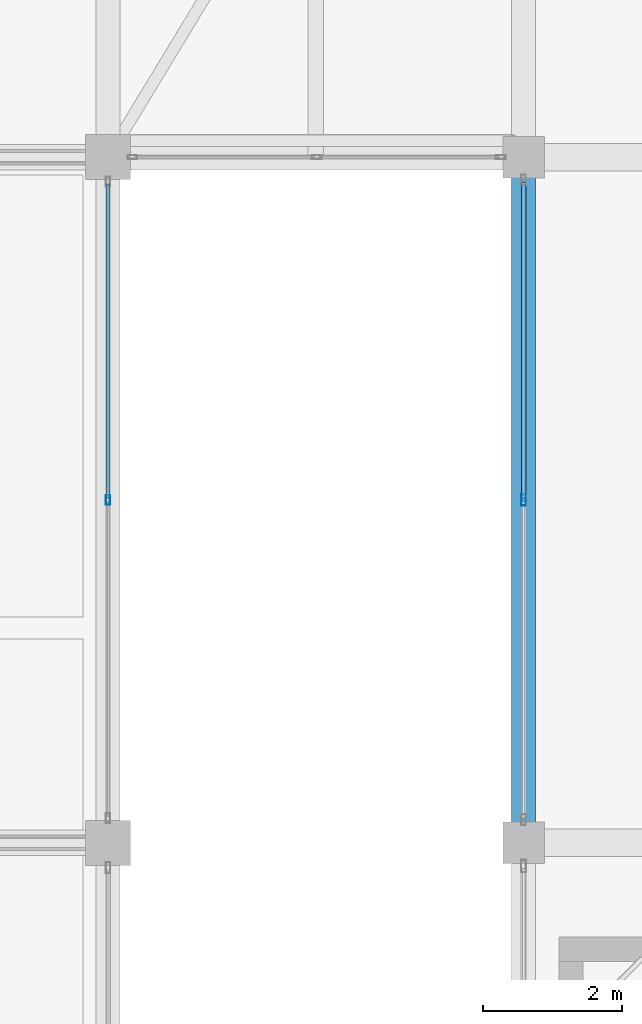
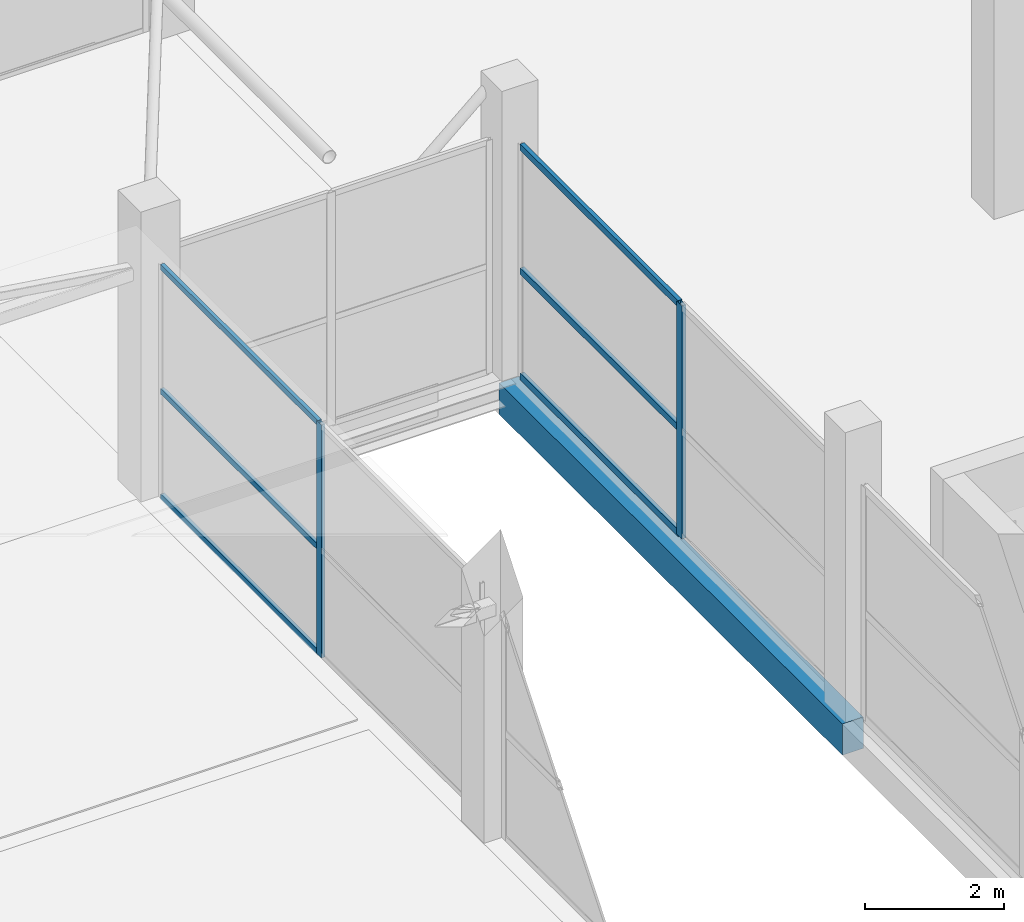
# One storey, part 28 of 58: 8 members, 1 beam, 2 elements without a shape of their own.
"""IFC4 building model written with IfcOpenShell, lengths in metres."""

from ifc_helpers import new_model, si_unit, direction, frame, origin, origin_2d, place, context, subcontext, project, spatial, rectangle, hollow_rectangle, extrude, material, layer, layer_set, material_profile, profile_set, type_object, element, aggregate, save


model = new_model("IFC4")

# Units and contexts
model_context = context("Model", 3, precision=1e-05, world=origin(), true_north=direction((0.0, 1.0)))
body_context = subcontext(model_context, "Body", "Model", "MODEL_VIEW")
ifc_project = project(units=[si_unit("LENGTHUNIT", "METRE"), si_unit("AREAUNIT", "SQUARE_METRE"), si_unit("VOLUMEUNIT", "CUBIC_METRE"), si_unit("PLANEANGLEUNIT", "RADIAN"), si_unit("MASSUNIT", "GRAM", prefix="KILO")], contexts=[model_context])

# Site, building, storey
site_placement = place(None, origin())
site = spatial("IfcSite", under=ifc_project, at=site_placement, CompositionType="ELEMENT")
building_placement = place(site_placement, origin())
building = spatial("IfcBuilding", under=site, at=building_placement, Name="Sillaruma Civic Art Gallery", CompositionType="ELEMENT")
storey_placement = place(building_placement, frame((0.0, 0.0, 52.02001953125)))
storey = spatial("IfcBuildingStorey", under=building, at=storey_placement, Name="L10", CompositionType="ELEMENT", Elevation=52.02001953125)

# Beam
ifc_material_1 = material(Name="Concrete H35 (35 MPa)", Category="concrete")
ifc_material_profile_1 = material_profile(ifc_material_1, rectangle(XDim=0.35009765625, YDim=0.550048828125, at=origin_2d()), Name="RCB350x550")
ifc_profile_set_1 = profile_set([ifc_material_profile_1], Name="Concrete H35 (35 MPa)")
beam_type = type_object("IfcBeamType", Name="BM-SPANDREL-RCB350x550", PredefinedType="SPANDREL", material=ifc_profile_set_1)
beam_placement = place(storey_placement, frame((98.0, 59.39990234375, -0.52490234375), z_axis=(0.0, 1.0, 0.0), x_axis=(-1.0, 0.0, 0.0)))
element("IfcBeam", 1, at=beam_placement, inside=storey, type_object=beam_type, Name="Beam BS-04 (L09:L:7-8)", PredefinedType="SPANDREL", context=body_context, shape_type="SweptSolid", body=[
    extrude(rectangle(XDim=0.35009765625, YDim=0.550048828125, at=origin_2d()), origin(), (0.0, 0.0, 1.0), 9.900146484375),
])

# Curtain wall, member
ifc_material_2 = material(Name="Thermally Broken Extruded Aluminium 6063-T6", Category="aluminium")
ifc_layer_1 = layer(ifc_material_2, 0.139892578125, Name="Thermally Broken Extruded Aluminium 6063-T6")
ifc_layer_set_1 = layer_set([ifc_layer_1], Name="Thermally Broken Extruded Aluminium 6063-T6")
curtain_wall_type_1 = type_object("IfcCurtainWallType", Name="CW-UNI-71", PredefinedType="NOTDEFINED", material=ifc_layer_set_1)
curtain_wall_1_placement = place(storey_placement, origin())
curtain_wall_1 = element("IfcCurtainWall", 2, at=curtain_wall_1_placement, inside=storey, type_object=curtain_wall_type_1, Name="Unitised Curtain Wall CW-71 (CW-L10-WBE-5)", PredefinedType="NOTDEFINED")
ifc_material_profile_2 = material_profile(ifc_material_2, hollow_rectangle(XDim=0.06005859375, YDim=0.139892578125, WallThickness=0.00341796875, at=origin_2d()), Name="CWM60x140")
ifc_profile_set_2 = profile_set([ifc_material_profile_2], Name="Thermally Broken Extruded Aluminium 6063-T6")
member_type_1 = type_object("IfcMemberType", Name="MEM-MUL-CWM60x140", PredefinedType="MULLION", material=ifc_profile_set_2)
member_1_placement = place(storey_placement, frame((92.0, 64.35009765625, 0.0), z_axis=(0.0, 0.0, 1.0), x_axis=(-1.0, 0.0, 0.0)))
member_1 = element("IfcMember", 3, at=member_1_placement, type_object=member_type_1, Name="CW-71 mullion 2", PredefinedType="MULLION", context=body_context, shape_type="SweptSolid", body=[
    extrude(hollow_rectangle(XDim=0.06005859375, YDim=0.139892578125, WallThickness=0.00341796875, at=origin_2d()), origin(), (0.0, 0.0, 1.0), 4.10009765625),
])

ifc_layer_2 = layer(ifc_material_2, 0.159912109375, Name="Thermally Broken Extruded Aluminium 6063-T6")
ifc_layer_set_2 = layer_set([ifc_layer_2], Name="Thermally Broken Extruded Aluminium 6063-T6")
curtain_wall_type_2 = type_object("IfcCurtainWallType", Name="CW-UNI-80", PredefinedType="NOTDEFINED", material=ifc_layer_set_2)
curtain_wall_2_placement = place(storey_placement, origin())
curtain_wall_2 = element("IfcCurtainWall", 4, at=curtain_wall_2_placement, inside=storey, type_object=curtain_wall_type_2, Name="Unitised Curtain Wall CW-80 (CW-L10-EBW-5)", PredefinedType="NOTDEFINED")
ifc_material_profile_3 = material_profile(ifc_material_2, hollow_rectangle(XDim=0.06494140625, YDim=0.159912109375, WallThickness=0.00390625, at=origin_2d()), Name="CWM65x160")
ifc_profile_set_3 = profile_set([ifc_material_profile_3], Name="Thermally Broken Extruded Aluminium 6063-T6")
member_type_2 = type_object("IfcMemberType", Name="MEM-MUL-CWM65x160", PredefinedType="MULLION", material=ifc_profile_set_3)
member_2_placement = place(storey_placement, frame((98.0, 64.35009765625, 0.0), z_axis=(0.0, 0.0, 1.0), x_axis=(-1.0, 0.0, 0.0)))
member_2 = element("IfcMember", 5, at=member_2_placement, type_object=member_type_2, Name="CW-80 mullion 2", PredefinedType="MULLION", context=body_context, shape_type="SweptSolid", body=[
    extrude(hollow_rectangle(XDim=0.06494140625, YDim=0.159912109375, WallThickness=0.00390625, at=origin_2d()), origin(), (0.0, 0.0, 1.0), 4.10009765625),
])

# Member
ifc_material_profile_4 = material_profile(ifc_material_2, hollow_rectangle(XDim=0.06005859375, YDim=0.10009765625, WallThickness=0.003173828125, at=origin_2d()), Name="CWT60x100")
ifc_profile_set_4 = profile_set([ifc_material_profile_4], Name="Thermally Broken Extruded Aluminium 6063-T6")
member_type_3 = type_object("IfcMemberType", Name="MEM-TRN-CWT60x100", PredefinedType="USERDEFINED", material=ifc_profile_set_4)
member_3_placement = place(storey_placement, frame((92.0, 64.3798828125, 0.030029296875), z_axis=(0.0, 1.0, 0.0), x_axis=(-1.0, 0.0, 0.0)))
member_3 = element("IfcMember", 6, at=member_3_placement, type_object=member_type_3, Name="CW-71 transom 2.1", ObjectType="TRANSOM", PredefinedType="USERDEFINED", context=body_context, shape_type="SweptSolid", body=[
    extrude(hollow_rectangle(XDim=0.06005859375, YDim=0.10009765625, WallThickness=0.003173828125, at=origin_2d()), origin(), (0.0, 0.0, 1.0), 4.53515625),
])

member_4_placement = place(storey_placement, frame((92.0, 64.3798828125, 1.885986328125), z_axis=(0.0, 1.0, 0.0), x_axis=(-1.0, 0.0, 0.0)))
member_4 = element("IfcMember", 7, at=member_4_placement, type_object=member_type_3, Name="CW-71 transom 2.2", ObjectType="TRANSOM", PredefinedType="USERDEFINED", context=body_context, shape_type="SweptSolid", body=[
    extrude(hollow_rectangle(XDim=0.06005859375, YDim=0.10009765625, WallThickness=0.003173828125, at=origin_2d()), origin(), (0.0, 0.0, 1.0), 4.53515625),
])

member_5_placement = place(storey_placement, frame((92.0, 64.3798828125, 4.070068359375), z_axis=(0.0, 1.0, 0.0), x_axis=(-1.0, 0.0, 0.0)))
member_5 = element("IfcMember", 8, at=member_5_placement, type_object=member_type_3, Name="CW-71 transom 2.3", ObjectType="TRANSOM", PredefinedType="USERDEFINED", context=body_context, shape_type="SweptSolid", body=[
    extrude(hollow_rectangle(XDim=0.06005859375, YDim=0.10009765625, WallThickness=0.003173828125, at=origin_2d()), origin(), (0.0, 0.0, 1.0), 4.53515625),
])

aggregate(curtain_wall_1, [member_1, member_3, member_4, member_5])

ifc_material_profile_5 = material_profile(ifc_material_2, hollow_rectangle(XDim=0.06494140625, YDim=0.1201171875, WallThickness=0.00341796875, at=origin_2d()), Name="CWT65x120")
ifc_profile_set_5 = profile_set([ifc_material_profile_5], Name="Thermally Broken Extruded Aluminium 6063-T6")
member_type_4 = type_object("IfcMemberType", Name="MEM-TRN-CWT65x120", PredefinedType="USERDEFINED", material=ifc_profile_set_5)
member_6_placement = place(storey_placement, frame((98.0, 64.382568359375, 0.032470703125), z_axis=(0.0, 1.0, 0.0), x_axis=(-1.0, 0.0, 0.0)))
member_6 = element("IfcMember", 9, at=member_6_placement, type_object=member_type_4, Name="CW-80 transom 2.1", ObjectType="TRANSOM", PredefinedType="USERDEFINED", context=body_context, shape_type="SweptSolid", body=[
    extrude(hollow_rectangle(XDim=0.06494140625, YDim=0.1201171875, WallThickness=0.00341796875, at=origin_2d()), origin(), (0.0, 0.0, 1.0), 4.552490234375),
])

member_7_placement = place(storey_placement, frame((98.0, 64.382568359375, 1.885986328125), z_axis=(0.0, 1.0, 0.0), x_axis=(-1.0, 0.0, 0.0)))
member_7 = element("IfcMember", 10, at=member_7_placement, type_object=member_type_4, Name="CW-80 transom 2.2", ObjectType="TRANSOM", PredefinedType="USERDEFINED", context=body_context, shape_type="SweptSolid", body=[
    extrude(hollow_rectangle(XDim=0.06494140625, YDim=0.1201171875, WallThickness=0.00341796875, at=origin_2d()), origin(), (0.0, 0.0, 1.0), 4.552490234375),
])

member_8_placement = place(storey_placement, frame((98.0, 64.382568359375, 4.0673828125), z_axis=(0.0, 1.0, 0.0), x_axis=(-1.0, 0.0, 0.0)))
member_8 = element("IfcMember", 11, at=member_8_placement, type_object=member_type_4, Name="CW-80 transom 2.3", ObjectType="TRANSOM", PredefinedType="USERDEFINED", context=body_context, shape_type="SweptSolid", body=[
    extrude(hollow_rectangle(XDim=0.06494140625, YDim=0.1201171875, WallThickness=0.00341796875, at=origin_2d()), origin(), (0.0, 0.0, 1.0), 4.552490234375),
])

aggregate(curtain_wall_2, [member_2, member_6, member_7, member_8])

save(model, "model.ifc")
